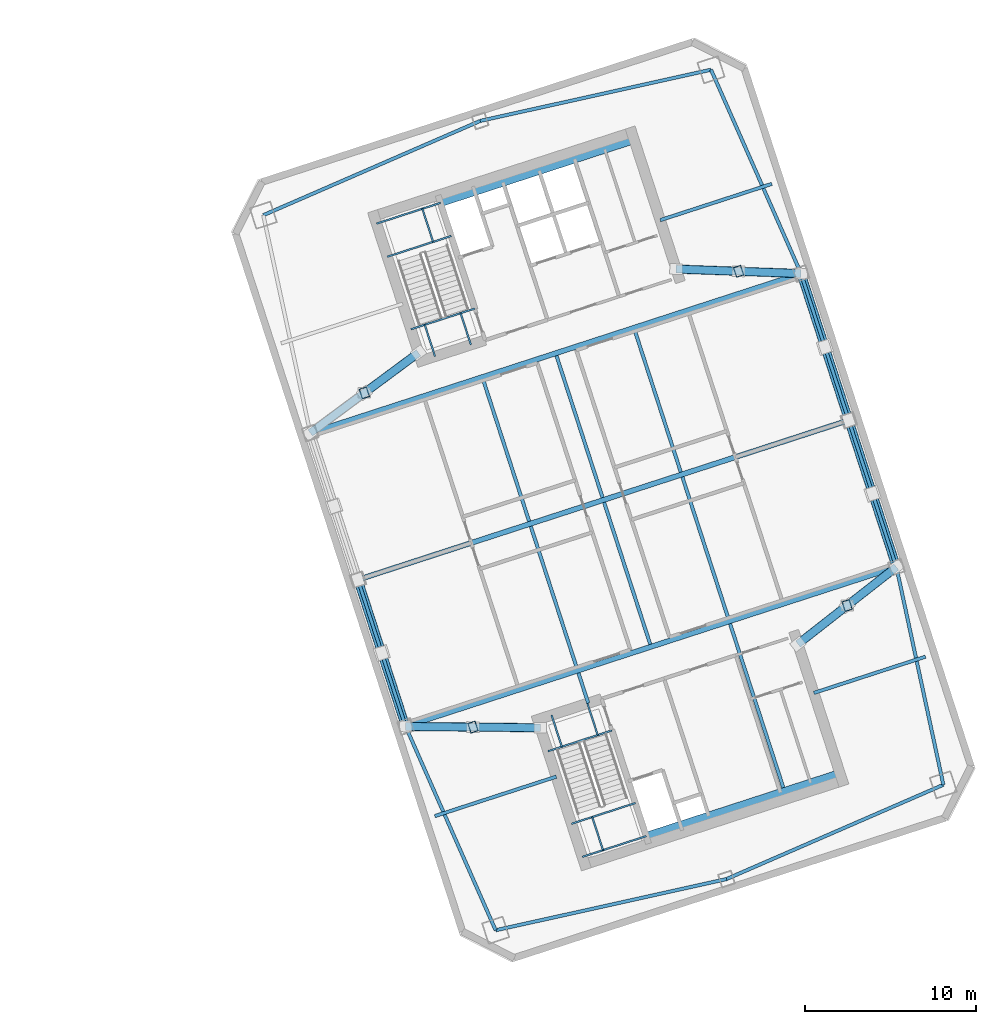
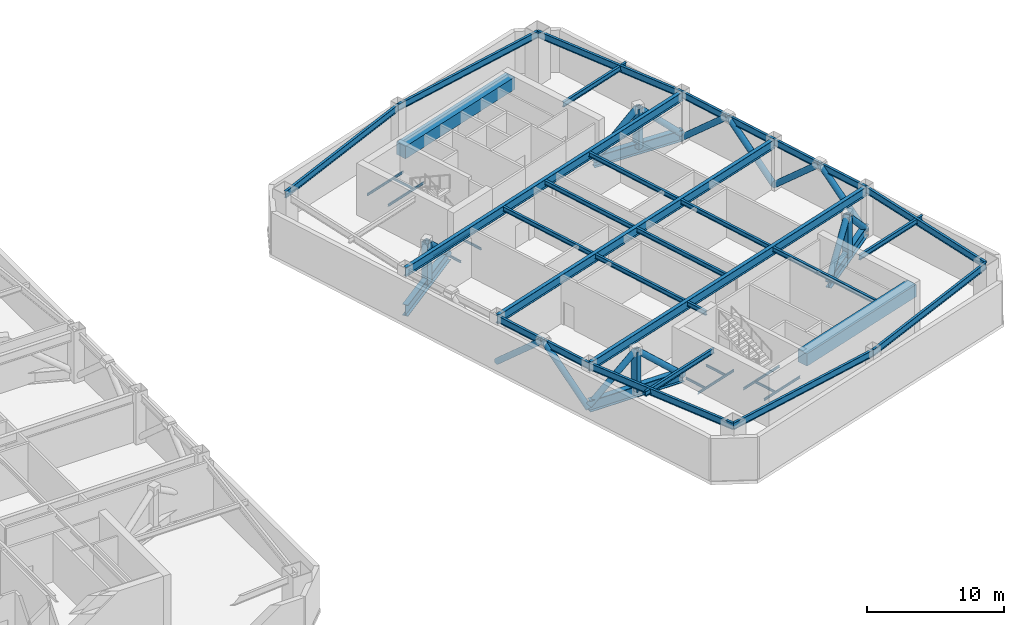
# One storey, part 5 of 14: 42 beams, 17 members.
"""IFC4 building model written with IfcOpenShell, lengths in metres."""

from ifc_helpers import new_model, si_unit, direction, frame, origin, origin_2d, place, context, subcontext, project, spatial, rectangle, hollow_rectangle, hollow_circle, i_section, extrude, material, material_profile, profile_set, type_object, element, save


model = new_model("IFC4")

# Units and contexts
model_context = context("Model", 3, precision=1e-05, world=origin(), true_north=direction((0.0, 1.0)))
body_context = subcontext(model_context, "Body", "Model", "MODEL_VIEW")
ifc_project = project(units=[si_unit("LENGTHUNIT", "METRE"), si_unit("AREAUNIT", "SQUARE_METRE"), si_unit("VOLUMEUNIT", "CUBIC_METRE"), si_unit("PLANEANGLEUNIT", "RADIAN"), si_unit("MASSUNIT", "GRAM", prefix="KILO")], contexts=[model_context])

# Site, building, storey
site_placement = place(None, origin())
site = spatial("IfcSite", under=ifc_project, at=site_placement, CompositionType="ELEMENT")
building_placement = place(site_placement, origin())
building = spatial("IfcBuilding", under=site, at=building_placement, Name="Qiaolan Cultural Towers", CompositionType="ELEMENT")
storey_placement = place(building_placement, frame((0.0, 0.0, 138.0)))
storey = spatial("IfcBuildingStorey", under=building, at=storey_placement, Name="L36", CompositionType="ELEMENT", Elevation=138.0)

# Beams
ifc_material_1 = material(Name="Steel Q390GJB", Category="steel")
ifc_material_profile_1 = material_profile(ifc_material_1, i_section(OverallWidth=0.449951171875, OverallDepth=1.0, WebThickness=0.02392578125, FlangeThickness=0.0400390625, at=origin_2d()), Name="BH1000x450x24x40")
ifc_profile_set_1 = profile_set([ifc_material_profile_1], Name="Steel Q390GJB")
beam_type_1 = type_object("IfcBeamType", Name="BM-BH1000x450x24x40", PredefinedType="BEAM", material=ifc_profile_set_1)
for number, where, z_axis, x_axis, name in (
    (1, (86.32568359375, 20.71435546875, 0.5), (-0.99995391889, 0.009600005, 0.0), (-0.009600005, -0.99995391889, 0.0), "L36 T2 Outrigger Bottom Chord Girder WS"),
    (2, (79.21826171875, 42.588623046875, 0.5), (-0.803324328545, -0.595541789607, 0.0), (0.595541789607, -0.803324328545, 0.0), "L36 T2 Outrigger Bottom Chord Girder WN"),
):
    element("IfcBeam", number, at=place(storey_placement, frame(where, z_axis=z_axis, x_axis=x_axis)), inside=storey, type_object=beam_type_1, Name=name, PredefinedType="BEAM", context=body_context, shape_type="SweptSolid", body=[
        extrude(i_section(OverallWidth=0.449951171875, OverallDepth=1.0, WebThickness=0.02392578125, FlangeThickness=0.0400390625, at=origin_2d()), origin(), (0.0, 0.0, 1.0), 7.858154296875),
    ])
for number, where, z_axis, x_axis, name in (
    (3, (101.352294921875, 25.5966796875, 0.5), (0.787455543468, 0.616371452179, 0.0), (-0.616371452179, 0.787455543468, 0.0), "L36 T2 Outrigger Bottom Chord Girder ES"),
    (4, (94.244873046875, 47.47119140625, 0.5), (0.999359309456, -0.035790649664, 0.0), (0.035790649664, 0.999359309456, 0.0), "L36 T2 Outrigger Bottom Chord Girder EN"),
):
    element("IfcBeam", number, at=place(storey_placement, frame(where, z_axis=z_axis, x_axis=x_axis)), inside=storey, type_object=beam_type_1, Name=name, PredefinedType="BEAM", context=body_context, shape_type="SweptSolid", body=[
        extrude(i_section(OverallWidth=0.449951171875, OverallDepth=1.0, WebThickness=0.02392578125, FlangeThickness=0.0400390625, at=origin_2d()), origin(), (0.0, 0.0, 1.0), 7.2919921875),
    ])
ifc_material_2 = material(Name="Steel Q355B", Category="steel")
ifc_material_profile_2 = material_profile(ifc_material_2, i_section(OverallWidth=0.300048828125, OverallDepth=0.800048828125, WebThickness=0.013916015625, FlangeThickness=0.02587890625, at=origin_2d()), Name="HN800x300x14x26")
ifc_profile_set_2 = profile_set([ifc_material_profile_2], Name="Steel Q355B")
beam_type_2 = type_object("IfcBeamType", Name="BM-HN800x300x14x26", PredefinedType="BEAM", material=ifc_profile_set_2)
beam_1_placement = place(storey_placement, frame((78.4677734375, 20.789794921875, 3.93994140625), z_axis=(0.951055226628, 0.309020963535, 0.0), x_axis=(-0.309020963535, 0.951055226628, 0.0)))
element("IfcBeam", 5, at=beam_1_placement, inside=storey, type_object=beam_type_2, Name="L36 T2 Primary Transverse Girder V1", PredefinedType="BEAM", context=body_context, shape_type="SweptSolid", body=[
    extrude(i_section(OverallWidth=0.300048828125, OverallDepth=0.800048828125, WebThickness=0.013916015625, FlangeThickness=0.02587890625, at=origin_2d()), origin(), (0.0, 0.0, 1.0), 30.099853515625),
])
beam_2_placement = place(storey_placement, frame((75.6865234375, 29.349365234375, 3.93994140625), z_axis=(0.951058384903, 0.309011243331, 0.0), x_axis=(-0.309011243331, 0.951058384903, 0.0)))
element("IfcBeam", 6, at=beam_2_placement, inside=storey, type_object=beam_type_2, Name="L36 T2 Primary Transverse Girder V2", PredefinedType="BEAM", context=body_context, shape_type="SweptSolid", body=[
    extrude(i_section(OverallWidth=0.300048828125, OverallDepth=0.800048828125, WebThickness=0.013916015625, FlangeThickness=0.02587890625, at=origin_2d()), origin(), (0.0, 0.0, 1.0), 30.10009765625),
])
beam_3_placement = place(storey_placement, frame((72.905517578125, 37.90869140625, 3.93994140625), z_axis=(0.951055226628, 0.309020963535, 0.0), x_axis=(-0.309020963535, 0.951055226628, 0.0)))
element("IfcBeam", 7, at=beam_3_placement, inside=storey, type_object=beam_type_2, Name="L36 T2 Primary Transverse Girder V3", PredefinedType="BEAM", context=body_context, shape_type="SweptSolid", body=[
    extrude(i_section(OverallWidth=0.300048828125, OverallDepth=0.800048828125, WebThickness=0.013916015625, FlangeThickness=0.02587890625, at=origin_2d()), origin(), (0.0, 0.0, 1.0), 30.099853515625),
])
ifc_material_3 = material(Name="Steel Q355B", Category="steel")
ifc_material_profile_3 = material_profile(ifc_material_3, i_section(OverallWidth=0.199951171875, OverallDepth=0.39990234375, WebThickness=0.008056640625, FlangeThickness=0.012939453125, at=origin_2d()), Name="HN400x200x8x13")
ifc_profile_set_3 = profile_set([ifc_material_profile_3], Name="Steel Q355B")
beam_type_3 = type_object("IfcBeamType", Name="BM-JST-HN400x200x8x13", PredefinedType="JOIST", material=ifc_profile_set_3)
beam_4_placement = place(storey_placement, frame((89.119384765625, 22.147705078125, 4.139892578125), z_axis=(-0.308933885266, 0.951083516067, 0.0), x_axis=(-0.951083516067, -0.308933885266, 0.0)))
element("IfcBeam", 8, at=beam_4_placement, inside=storey, type_object=beam_type_3, Name="L36 T2 Secondary Floor Joist U1-1", PredefinedType="JOIST", context=body_context, shape_type="SweptSolid", body=[
    extrude(i_section(OverallWidth=0.199951171875, OverallDepth=0.39990234375, WebThickness=0.008056640625, FlangeThickness=0.012939453125, at=origin_2d()), origin(), (0.0, 0.0, 1.0), 1.85009765625),
])
for number, where, z_axis, x_axis, name in (
    (9, (88.455078125, 24.192626953125, 4.139892578125), (-0.309020714809, 0.951055307445, 0.0), (-0.951055307445, -0.309020714809, 0.0), "L36 T2 Secondary Floor Joist U1-2"),
    (10, (85.673828125, 32.752197265625, 4.139892578125), (-0.309020714809, 0.951055307445, 0.0), (-0.951055307445, -0.309020714809, 0.0), "L36 T2 Secondary Floor Joist U1-3"),
    (11, (92.73486328125, 25.583251953125, 4.139892578125), (-0.309020714809, 0.951055307445, 0.0), (-0.951055307445, -0.309020714809, 0.0), "L36 T2 Secondary Floor Joist U2-2"),
    (12, (89.95361328125, 34.142578125, 4.139892578125), (-0.309020714809, 0.951055307445, 0.0), (-0.951055307445, -0.309020714809, 0.0), "L36 T2 Secondary Floor Joist U2-3"),
):
    element("IfcBeam", number, at=place(storey_placement, frame(where, z_axis=z_axis, x_axis=x_axis)), inside=storey, type_object=beam_type_3, Name=name, PredefinedType="JOIST", context=body_context, shape_type="SweptSolid", body=[
        extrude(i_section(OverallWidth=0.199951171875, OverallDepth=0.39990234375, WebThickness=0.008056640625, FlangeThickness=0.012939453125, at=origin_2d()), origin(), (0.0, 0.0, 1.0), 8.699951171875),
    ])
beam_5_placement = place(storey_placement, frame((100.498291015625, 17.222900390625, 4.139892578125), z_axis=(-0.309025649293, 0.951053704098, 0.0), x_axis=(-0.951053704098, -0.309025649293, 0.0)))
element("IfcBeam", 13, at=beam_5_placement, inside=storey, type_object=beam_type_3, Name="L36 T2 Secondary Floor Joist U3-1", PredefinedType="JOIST", context=body_context, shape_type="SweptSolid", body=[
    extrude(i_section(OverallWidth=0.199951171875, OverallDepth=0.39990234375, WebThickness=0.008056640625, FlangeThickness=0.012939453125, at=origin_2d()), origin(), (0.0, 0.0, 1.0), 10.050048828125),
])
for number, where, z_axis, x_axis, name in (
    (14, (97.2998046875, 27.06640625, 4.139892578125), (-0.309020714809, 0.951055307445, 0.0), (-0.951055307445, -0.309020714809, 0.0), "L36 T2 Secondary Floor Joist U3-2"),
    (15, (94.518798828125, 35.6259765625, 4.139892578125), (-0.309020714809, 0.951055307445, 0.0), (-0.951055307445, -0.309020714809, 0.0), "L36 T2 Secondary Floor Joist U3-3"),
):
    element("IfcBeam", number, at=place(storey_placement, frame(where, z_axis=z_axis, x_axis=x_axis)), inside=storey, type_object=beam_type_3, Name=name, PredefinedType="JOIST", context=body_context, shape_type="SweptSolid", body=[
        extrude(i_section(OverallWidth=0.199951171875, OverallDepth=0.39990234375, WebThickness=0.008056640625, FlangeThickness=0.012939453125, at=origin_2d()), origin(), (0.0, 0.0, 1.0), 8.699951171875),
    ])
ifc_material_4 = material(Name="Steel Q355B", Category="steel")
ifc_material_profile_4 = material_profile(ifc_material_4, i_section(OverallWidth=0.199951171875, OverallDepth=0.449951171875, WebThickness=0.009033203125, FlangeThickness=0.013916015625, at=origin_2d()), Name="HN450x200x9x14")
ifc_profile_set_4 = profile_set([ifc_material_profile_4], Name="Steel Q355B")
beam_type_4 = type_object("IfcBeamType", Name="BM-LNT-HN450x200x9x14", PredefinedType="LINTEL", material=ifc_profile_set_4)
beam_6_placement = place(storey_placement, frame((87.252685546875, 17.861083984375, 4.114990234375), z_axis=(-0.951064407856, -0.308992705592, 0.0), x_axis=(0.308992705592, -0.951064407856, 0.0)))
element("IfcBeam", 16, at=beam_6_placement, inside=storey, type_object=beam_type_4, Name="L36 T2 Core Flank Tie Lintel WS", PredefinedType="LINTEL", context=body_context, shape_type="SweptSolid", body=[
    extrude(i_section(OverallWidth=0.199951171875, OverallDepth=0.449951171875, WebThickness=0.009033203125, FlangeThickness=0.013916015625, at=origin_2d()), origin(), (0.0, 0.0, 1.0), 7.449951171875),
])
for number, where, z_axis, x_axis, name in (
    (17, (102.279296875, 22.74365234375, 4.114990234375), (0.951061565824, 0.30900145309, 0.0), (-0.30900145309, 0.951061565824, 0.0), "L36 T2 Core Flank Tie Lintel ES"),
    (18, (93.31787109375, 50.32421875, 4.114990234375), (0.951061565824, 0.30900145309, 0.0), (-0.30900145309, 0.951061565824, 0.0), "L36 T2 Core Flank Tie Lintel EN"),
):
    element("IfcBeam", number, at=place(storey_placement, frame(where, z_axis=z_axis, x_axis=x_axis)), inside=storey, type_object=beam_type_4, Name=name, PredefinedType="LINTEL", context=body_context, shape_type="SweptSolid", body=[
        extrude(i_section(OverallWidth=0.199951171875, OverallDepth=0.449951171875, WebThickness=0.009033203125, FlangeThickness=0.013916015625, at=origin_2d()), origin(), (0.0, 0.0, 1.0), 6.85009765625),
    ])
ifc_material_5 = material(Name="Concrete C50", Category="concrete")
ifc_material_profile_5 = material_profile(ifc_material_5, rectangle(XDim=0.89990234375, YDim=1.10009765625, at=origin_2d()), Name="RC900x1100")
ifc_profile_set_5 = profile_set([ifc_material_profile_5], Name="Concrete C50")
beam_type_5 = type_object("IfcBeamType", Name="BM-RC900x1100", PredefinedType="BEAM", material=ifc_profile_set_5)
for number, where, z_axis, x_axis, name in (
    (19, (92.572265625, 14.174560546875, 3.7900390625), (0.951056266386, 0.309017763514, 0.0), (-0.309017763514, 0.951056266386, 0.0), "L36 T2 Core Header Girder S"),
    (20, (80.427978515625, 51.551025390625, 3.7900390625), (0.951056266386, 0.309017763514, 0.0), (-0.309017763514, 0.951056266386, 0.0), "L36 T2 Core Header Girder N"),
):
    element("IfcBeam", number, at=place(storey_placement, frame(where, z_axis=z_axis, x_axis=x_axis)), inside=storey, type_object=beam_type_5, Name=name, PredefinedType="BEAM", context=body_context, shape_type="SweptSolid", body=[
        extrude(rectangle(XDim=0.89990234375, YDim=1.10009765625, at=origin_2d()), origin(), (0.0, 0.0, 1.0), 11.880126953125),
    ])
ifc_material_6 = material(Name="Steel Q355B", Category="steel")
ifc_material_profile_6 = material_profile(ifc_material_6, i_section(OverallWidth=0.199951171875, OverallDepth=0.60009765625, WebThickness=0.010986328125, FlangeThickness=0.01708984375, at=origin_2d()), Name="HN600x200x11x17")
ifc_profile_set_6 = profile_set([ifc_material_profile_6], Name="Steel Q355B")
beam_type_6 = type_object("IfcBeamType", Name="BM-SPD-HN600x200x11x17", PredefinedType="SPANDREL", material=ifc_profile_set_6)
beam_7_placement = place(storey_placement, frame((83.71875, 8.900634765625, 4.0400390625), z_axis=(0.976265293399, 0.216578108094, 0.0), x_axis=(-0.216578108094, 0.976265293399, 0.0)))
element("IfcBeam", 21, at=beam_7_placement, inside=storey, type_object=beam_type_6, Name="L36 T2 Perimeter Spandrel Beam 1", PredefinedType="SPANDREL", context=body_context, shape_type="SweptSolid", body=[
    extrude(i_section(OverallWidth=0.199951171875, OverallDepth=0.60009765625, WebThickness=0.010986328125, FlangeThickness=0.01708984375, at=origin_2d()), origin(), (0.0, 0.0, 1.0), 13.793212890625),
])
beam_8_placement = place(storey_placement, frame((97.1845703125, 11.887939453125, 4.0400390625), z_axis=(0.917117043091, 0.398618024268, 0.0), x_axis=(-0.398618024268, 0.917117043091, 0.0)))
element("IfcBeam", 22, at=beam_8_placement, inside=storey, type_object=beam_type_6, Name="L36 T2 Perimeter Spandrel Beam 2", PredefinedType="SPANDREL", context=body_context, shape_type="SweptSolid", body=[
    extrude(i_section(OverallWidth=0.199951171875, OverallDepth=0.60009765625, WebThickness=0.010986328125, FlangeThickness=0.01708984375, at=origin_2d()), origin(), (0.0, 0.0, 1.0), 13.79345703125),
])
beam_9_placement = place(storey_placement, frame((109.834716796875, 17.38623046875, 4.0400390625), z_axis=(-0.210832241173, 0.977522258612, 0.0), x_axis=(-0.977522258612, -0.210832241173, 0.0)))
element("IfcBeam", 23, at=beam_9_placement, inside=storey, type_object=beam_type_6, Name="L36 T2 Perimeter Spandrel Beam 3", PredefinedType="SPANDREL", context=body_context, shape_type="SweptSolid", body=[
    extrude(i_section(OverallWidth=0.199951171875, OverallDepth=0.60009765625, WebThickness=0.010986328125, FlangeThickness=0.01708984375, at=origin_2d()), origin(), (0.0, 0.0, 1.0), 12.997314453125),
])
beam_10_placement = place(storey_placement, frame((107.094482421875, 30.09130859375, 4.0400390625), z_axis=(-0.309008170129, 0.951059383421, 0.0), x_axis=(-0.951059383421, -0.309008170129, 0.0)))
element("IfcBeam", 24, at=beam_10_placement, inside=storey, type_object=beam_type_6, Name="L36 T2 Perimeter Spandrel Beam 4", PredefinedType="SPANDREL", context=body_context, shape_type="SweptSolid", body=[
    extrude(i_section(OverallWidth=0.199951171875, OverallDepth=0.60009765625, WebThickness=0.010986328125, FlangeThickness=0.01708984375, at=origin_2d()), origin(), (0.0, 0.0, 1.0), 8.999755859375),
])
beam_11_placement = place(storey_placement, frame((104.3134765625, 38.650634765625, 4.0400390625), z_axis=(-0.309024734286, 0.951054001411, 0.0), x_axis=(-0.951054001411, -0.309024734286, 0.0)))
element("IfcBeam", 25, at=beam_11_placement, inside=storey, type_object=beam_type_6, Name="L36 T2 Perimeter Spandrel Beam 5", PredefinedType="SPANDREL", context=body_context, shape_type="SweptSolid", body=[
    extrude(i_section(OverallWidth=0.199951171875, OverallDepth=0.60009765625, WebThickness=0.010986328125, FlangeThickness=0.01708984375, at=origin_2d()), origin(), (0.0, 0.0, 1.0), 9.0),
])
beam_12_placement = place(storey_placement, frame((101.5322265625, 47.210205078125, 4.0400390625), z_axis=(-0.404011070002, 0.914754095545, 0.0), x_axis=(-0.914754095545, -0.404011070002, 0.0)))
element("IfcBeam", 26, at=beam_12_placement, inside=storey, type_object=beam_type_6, Name="L36 T2 Perimeter Spandrel Beam 6", PredefinedType="SPANDREL", context=body_context, shape_type="SweptSolid", body=[
    extrude(i_section(OverallWidth=0.199951171875, OverallDepth=0.60009765625, WebThickness=0.010986328125, FlangeThickness=0.01708984375, at=origin_2d()), origin(), (0.0, 0.0, 1.0), 12.9970703125),
])
beam_13_placement = place(storey_placement, frame((96.28125, 59.099365234375, 4.0400390625), z_axis=(-0.976265293399, -0.216578108094, 0.0), x_axis=(0.216578108094, -0.976265293399, 0.0)))
element("IfcBeam", 27, at=beam_13_placement, inside=storey, type_object=beam_type_6, Name="L36 T2 Perimeter Spandrel Beam 7", PredefinedType="SPANDREL", context=body_context, shape_type="SweptSolid", body=[
    extrude(i_section(OverallWidth=0.199951171875, OverallDepth=0.60009765625, WebThickness=0.010986328125, FlangeThickness=0.01708984375, at=origin_2d()), origin(), (0.0, 0.0, 1.0), 13.793212890625),
])
beam_14_placement = place(storey_placement, frame((82.8154296875, 56.112060546875, 4.0400390625), z_axis=(-0.917117043091, -0.398618024268, 0.0), x_axis=(0.398618024268, -0.917117043091, 0.0)))
element("IfcBeam", 28, at=beam_14_placement, inside=storey, type_object=beam_type_6, Name="L36 T2 Perimeter Spandrel Beam 8", PredefinedType="SPANDREL", context=body_context, shape_type="SweptSolid", body=[
    extrude(i_section(OverallWidth=0.199951171875, OverallDepth=0.60009765625, WebThickness=0.010986328125, FlangeThickness=0.01708984375, at=origin_2d()), origin(), (0.0, 0.0, 1.0), 13.79345703125),
])
beam_15_placement = place(storey_placement, frame((75.6865234375, 29.349365234375, 4.0400390625), z_axis=(0.309024734286, -0.951054001411, 0.0), x_axis=(0.951054001411, 0.309024734286, 0.0)))
element("IfcBeam", 29, at=beam_15_placement, inside=storey, type_object=beam_type_6, Name="L36 T2 Perimeter Spandrel Beam 11", PredefinedType="SPANDREL", context=body_context, shape_type="SweptSolid", body=[
    extrude(i_section(OverallWidth=0.199951171875, OverallDepth=0.60009765625, WebThickness=0.010986328125, FlangeThickness=0.01708984375, at=origin_2d()), origin(), (0.0, 0.0, 1.0), 9.0),
])
beam_16_placement = place(storey_placement, frame((78.4677734375, 20.789794921875, 4.0400390625), z_axis=(0.404011070002, -0.914754095545, 0.0), x_axis=(0.914754095545, 0.404011070002, 0.0)))
element("IfcBeam", 30, at=beam_16_placement, inside=storey, type_object=beam_type_6, Name="L36 T2 Perimeter Spandrel Beam 12", PredefinedType="SPANDREL", context=body_context, shape_type="SweptSolid", body=[
    extrude(i_section(OverallWidth=0.199951171875, OverallDepth=0.60009765625, WebThickness=0.010986328125, FlangeThickness=0.01708984375, at=origin_2d()), origin(), (0.0, 0.0, 1.0), 12.9970703125),
])
ifc_material_7 = material(Name="Steel Q355B", Category="steel")
ifc_material_profile_7 = material_profile(ifc_material_7, i_section(OverallWidth=0.10009765625, OverallDepth=0.199951171875, WebThickness=0.005615234375, FlangeThickness=0.008056640625, at=origin_2d()), Name="HN200x100x5.5x8")
ifc_profile_set_7 = profile_set([ifc_material_profile_7], Name="Steel Q355B")
beam_type_7 = type_object("IfcBeamType", Name="BM-STTRIM-200", PredefinedType="BEAM", material=ifc_profile_set_7)
beam_17_placement = place(storey_placement, frame((86.770751953125, 19.3447265625, -0.4599609375), z_axis=(0.951047798727, 0.309043823005, 0.0), x_axis=(-0.309043823005, 0.951047798727, 0.0)))
element("IfcBeam", 31, at=beam_17_placement, inside=storey, type_object=beam_type_7, Name="L36 ST-E1 Floor Landing Header Beam", PredefinedType="BEAM", context=body_context, shape_type="SweptSolid", body=[
    extrude(i_section(OverallWidth=0.10009765625, OverallDepth=0.199951171875, WebThickness=0.005615234375, FlangeThickness=0.008056640625, at=origin_2d()), origin(), (0.0, 0.0, 1.0), 3.919921875),
])
for number, where, z_axis, x_axis, name in (
    (32, (86.9794921875, 21.452392578125, -0.4599609375), (0.309083226701, -0.951034993558, 0.0), (0.951034993558, 0.309083226701, 0.0), "L36 ST-E1 Floor Landing Stringer 1"),
    (33, (89.07177734375, 22.13232421875, -0.4599609375), (0.309083226701, -0.951034993558, 0.0), (0.951034993558, 0.309083226701, 0.0), "L36 ST-E1 Floor Landing Stringer 2"),
):
    element("IfcBeam", number, at=place(storey_placement, frame(where, z_axis=z_axis, x_axis=x_axis)), inside=storey, type_object=beam_type_7, Name=name, PredefinedType="BEAM", context=body_context, shape_type="SweptSolid", body=[
        extrude(i_section(OverallWidth=0.10009765625, OverallDepth=0.199951171875, WebThickness=0.005615234375, FlangeThickness=0.008056640625, at=origin_2d()), origin(), (0.0, 0.0, 1.0), 1.93994140625),
    ])
beam_18_placement = place(storey_placement, frame((88.145263671875, 15.11376953125, 2.0), z_axis=(0.951053746643, 0.309025518358, 0.0), x_axis=(-0.309025518358, 0.951053746643, 0.0)))
element("IfcBeam", 34, at=beam_18_placement, inside=storey, type_object=beam_type_7, Name="L36 ST-E1 Stair Landing Support Beam 1-1", PredefinedType="BEAM", context=body_context, shape_type="SweptSolid", body=[
    extrude(i_section(OverallWidth=0.10009765625, OverallDepth=0.199951171875, WebThickness=0.005615234375, FlangeThickness=0.008056640625, at=origin_2d()), origin(), (0.0, 0.0, 1.0), 3.920166015625),
])
beam_19_placement = place(storey_placement, frame((88.773193359375, 13.181884765625, 2.0), z_axis=(0.951047798727, 0.309043823005, 0.0), x_axis=(-0.309043823005, 0.951047798727, 0.0)))
element("IfcBeam", 35, at=beam_19_placement, inside=storey, type_object=beam_type_7, Name="L36 ST-E1 Stair Landing Support Beam 1-2", PredefinedType="BEAM", context=body_context, shape_type="SweptSolid", body=[
    extrude(i_section(OverallWidth=0.10009765625, OverallDepth=0.199951171875, WebThickness=0.005615234375, FlangeThickness=0.008056640625, at=origin_2d()), origin(), (0.0, 0.0, 1.0), 3.919921875),
])
beam_20_placement = place(storey_placement, frame((89.353271484375, 15.50634765625, 2.0), z_axis=(0.309007258476, -0.951059679626, 0.0), x_axis=(0.951059679626, 0.309007258476, 0.0)))
element("IfcBeam", 36, at=beam_20_placement, inside=storey, type_object=beam_type_7, Name="L36 ST-E1 Stair Landing Trimmer 1", PredefinedType="BEAM", context=body_context, shape_type="SweptSolid", body=[
    extrude(i_section(OverallWidth=0.10009765625, OverallDepth=0.199951171875, WebThickness=0.005615234375, FlangeThickness=0.008056640625, at=origin_2d()), origin(), (0.0, 0.0, 1.0), 2.03125),
])
beam_21_placement = place(storey_placement, frame((78.773193359375, 43.958251953125, -0.4599609375), z_axis=(0.951072048947, 0.3089691857, 0.0), x_axis=(-0.3089691857, 0.951072048947, 0.0)))
element("IfcBeam", 37, at=beam_21_placement, inside=storey, type_object=beam_type_7, Name="L36 ST-E2 Floor Landing Header Beam", PredefinedType="BEAM", context=body_context, shape_type="SweptSolid", body=[
    extrude(i_section(OverallWidth=0.10009765625, OverallDepth=0.199951171875, WebThickness=0.005615234375, FlangeThickness=0.008056640625, at=origin_2d()), origin(), (0.0, 0.0, 1.0), 3.920166015625),
])
for number, where, z_axis, x_axis, name in (
    (38, (80.18115234375, 42.375732421875, -0.4599609375), (-0.308969394428, 0.951071981138, 0.0), (-0.951071981138, -0.308969394428, 0.0), "L36 ST-E2 Floor Landing Stringer 1"),
    (39, (82.2734375, 43.0556640625, -0.4599609375), (-0.308969394428, 0.951071981138, 0.0), (-0.951071981138, -0.308969394428, 0.0), "L36 ST-E2 Floor Landing Stringer 2"),
):
    element("IfcBeam", number, at=place(storey_placement, frame(where, z_axis=z_axis, x_axis=x_axis)), inside=storey, type_object=beam_type_7, Name=name, PredefinedType="BEAM", context=body_context, shape_type="SweptSolid", body=[
        extrude(i_section(OverallWidth=0.10009765625, OverallDepth=0.199951171875, WebThickness=0.005615234375, FlangeThickness=0.008056640625, at=origin_2d()), origin(), (0.0, 0.0, 1.0), 1.93994140625),
    ])
beam_22_placement = place(storey_placement, frame((77.398681640625, 48.189208984375, 2.0), z_axis=(0.951066103084, 0.308987487715, 0.0), x_axis=(-0.308987487715, 0.951066103084, 0.0)))
element("IfcBeam", 40, at=beam_22_placement, inside=storey, type_object=beam_type_7, Name="L36 ST-E2 Stair Landing Support Beam 1-1", PredefinedType="BEAM", context=body_context, shape_type="SweptSolid", body=[
    extrude(i_section(OverallWidth=0.10009765625, OverallDepth=0.199951171875, WebThickness=0.005615234375, FlangeThickness=0.008056640625, at=origin_2d()), origin(), (0.0, 0.0, 1.0), 3.919921875),
])
beam_23_placement = place(storey_placement, frame((76.770751953125, 50.12109375, 2.0), z_axis=(0.951072048947, 0.3089691857, 0.0), x_axis=(-0.3089691857, 0.951072048947, 0.0)))
element("IfcBeam", 41, at=beam_23_placement, inside=storey, type_object=beam_type_7, Name="L36 ST-E2 Stair Landing Support Beam 1-2", PredefinedType="BEAM", context=body_context, shape_type="SweptSolid", body=[
    extrude(i_section(OverallWidth=0.10009765625, OverallDepth=0.199951171875, WebThickness=0.005615234375, FlangeThickness=0.008056640625, at=origin_2d()), origin(), (0.0, 0.0, 1.0), 3.920166015625),
])
beam_24_placement = place(storey_placement, frame((80.071044921875, 49.057373046875, 2.0), z_axis=(-0.309007258476, 0.951059679626, 0.0), x_axis=(-0.951059679626, -0.309007258476, 0.0)))
element("IfcBeam", 42, at=beam_24_placement, inside=storey, type_object=beam_type_7, Name="L36 ST-E2 Stair Landing Trimmer 1", PredefinedType="BEAM", context=body_context, shape_type="SweptSolid", body=[
    extrude(i_section(OverallWidth=0.10009765625, OverallDepth=0.199951171875, WebThickness=0.005615234375, FlangeThickness=0.008056640625, at=origin_2d()), origin(), (0.0, 0.0, 1.0), 2.03125),
])

# Members
ifc_material_8 = material(Name="Steel Q355B", Category="steel")
ifc_material_profile_8 = material_profile(ifc_material_8, hollow_circle(Radius=0.25, WallThickness=0.02490234375, at=origin_2d()), Name="CHS500x25")
ifc_profile_set_8 = profile_set([ifc_material_profile_8], Name="Steel Q355B")
member_type_1 = type_object("IfcMemberType", Name="MBR-BRC-CHS500x25", PredefinedType="BRACE", material=ifc_profile_set_8)
for number, where, z_axis, x_axis, name in (
    (43, (86.32568359375, 20.71435546875, 0.5), (-0.739143800965, 0.007073146421, 0.673510513723), (-0.009568939872, -0.999954216647, 0.0), "L36 T2 Outrigger Truss Diagonal WS-1"),
    (44, (82.396728515625, 20.751953125, 4.080078125), (-0.739143560062, 0.007119073623, -0.673510294212), (-0.0096310701, -0.999953620169, 0.0), "L36 T2 Outrigger Truss Diagonal WS-2"),
):
    element("IfcMember", number, at=place(storey_placement, frame(where, z_axis=z_axis, x_axis=x_axis)), inside=storey, type_object=member_type_1, Name=name, PredefinedType="BRACE", context=body_context, shape_type="SweptSolid", body=[
        extrude(hollow_circle(Radius=0.25, WallThickness=0.02490234375, at=origin_2d()), origin(), (0.0, 0.0, 1.0), 5.3154296875),
    ])
member_1_placement = place(storey_placement, frame((79.21826171875, 42.588623046875, 0.5), z_axis=(-0.593820455194, -0.440186808151, 0.673507862555), x_axis=(0.595506876858, -0.803350209818, 0.0)))
element("IfcMember", 45, at=member_1_placement, inside=storey, type_object=member_type_1, Name="L36 T2 Outrigger Truss Diagonal WN-1", PredefinedType="BRACE", context=body_context, shape_type="SweptSolid", body=[
    extrude(hollow_circle(Radius=0.25, WallThickness=0.02490234375, at=origin_2d()), origin(), (0.0, 0.0, 1.0), 5.315673828125),
])
for number, where, z_axis, x_axis, name in (
    (46, (101.352294921875, 25.5966796875, 0.5), (0.561874435387, 0.439800525318, 0.700623020452), (-0.616371452179, 0.787455543468, 0.0), "L36 T2 Outrigger Truss Diagonal ES-1"),
    (47, (104.223388671875, 27.843994140625, 4.080078125), (0.561874435387, 0.439800525318, -0.700623020452), (-0.616371452179, 0.787455543468, 0.0), "L36 T2 Outrigger Truss Diagonal ES-2"),
    (48, (94.244873046875, 47.47119140625, 0.5), (0.713083242942, -0.025561107871, 0.700613244522), (0.035822888615, 0.999358154343, 0.0), "L36 T2 Outrigger Truss Diagonal EN-1"),
):
    element("IfcMember", number, at=place(storey_placement, frame(where, z_axis=z_axis, x_axis=x_axis)), inside=storey, type_object=member_type_1, Name=name, PredefinedType="BRACE", context=body_context, shape_type="SweptSolid", body=[
        extrude(hollow_circle(Radius=0.25, WallThickness=0.02490234375, at=origin_2d()), origin(), (0.0, 0.0, 1.0), 5.10986328125),
    ])
member_2_placement = place(storey_placement, frame((97.888671875, 47.340576171875, 4.080078125), z_axis=(0.713060628453, -0.025514230474, -0.700637969421), x_axis=(0.035758408441, 0.99936046361, 0.0)))
element("IfcMember", 49, at=member_2_placement, inside=storey, type_object=member_type_1, Name="L36 T2 Outrigger Truss Diagonal EN-2", PredefinedType="BRACE", context=body_context, shape_type="SweptSolid", body=[
    extrude(hollow_circle(Radius=0.25, WallThickness=0.02490234375, at=origin_2d()), origin(), (0.0, 0.0, 1.0), 5.109619140625),
])
for number, where, z_axis, x_axis, name in (
    (50, (78.4677734375, 20.789794921875, 0.199951171875), (-0.231479598497, 0.712401222199, 0.662496561568), (-0.951054001411, -0.309024734286, 0.0), "L36 T2 Perimeter Belt Truss W1-A"),
    (51, (77.0771484375, 25.069580078125, 4.179931640625), (-0.231479598497, 0.712401222199, -0.662496561568), (-0.951054001411, -0.309024734286, 0.0), "L36 T2 Perimeter Belt Truss W1-B"),
):
    element("IfcMember", number, at=place(storey_placement, frame(where, z_axis=z_axis, x_axis=x_axis)), inside=storey, type_object=member_type_1, Name=name, PredefinedType="BRACE", context=body_context, shape_type="SweptSolid", body=[
        extrude(hollow_circle(Radius=0.25, WallThickness=0.02490234375, at=origin_2d()), origin(), (0.0, 0.0, 1.0), 6.007568359375),
    ])
member_3_placement = place(storey_placement, frame((107.094482421875, 30.09130859375, 0.199951171875), z_axis=(-0.231486300221, 0.712381207265, 0.662515741961), x_axis=(-0.951048820056, -0.309040679961, 0.0)))
element("IfcMember", 52, at=member_3_placement, inside=storey, type_object=member_type_1, Name="L36 T2 Perimeter Belt Truss E1-A", PredefinedType="BRACE", context=body_context, shape_type="SweptSolid", body=[
    extrude(hollow_circle(Radius=0.25, WallThickness=0.02490234375, at=origin_2d()), origin(), (0.0, 0.0, 1.0), 6.00732421875),
])
for number, where, z_axis, x_axis, name in (
    (53, (105.703857421875, 34.370849609375, 4.179931640625), (-0.23144113653, 0.71240792333, -0.662502793276), (-0.951069945308, -0.308975661068, 0.0), "L36 T2 Perimeter Belt Truss E1-B"),
    (54, (104.3134765625, 38.650634765625, 0.199951171875), (-0.231479598497, 0.712401222199, 0.662496561568), (-0.951054001411, -0.309024734286, 0.0), "L36 T2 Perimeter Belt Truss E2-A"),
    (55, (102.9228515625, 42.930419921875, 4.179931640625), (-0.231479598497, 0.712401222199, -0.662496561568), (-0.951054001411, -0.309024734286, 0.0), "L36 T2 Perimeter Belt Truss E2-B"),
):
    element("IfcMember", number, at=place(storey_placement, frame(where, z_axis=z_axis, x_axis=x_axis)), inside=storey, type_object=member_type_1, Name=name, PredefinedType="BRACE", context=body_context, shape_type="SweptSolid", body=[
        extrude(hollow_circle(Radius=0.25, WallThickness=0.02490234375, at=origin_2d()), origin(), (0.0, 0.0, 1.0), 6.007568359375),
    ])
ifc_material_9 = material(Name="Steel Q355B", Category="steel")
ifc_material_profile_9 = material_profile(ifc_material_9, hollow_rectangle(XDim=0.449951171875, YDim=0.60009765625, WallThickness=0.02197265625, at=origin_2d()), Name="BOX600x450x22")
ifc_profile_set_9 = profile_set([ifc_material_profile_9], Name="Steel Q355B")
member_type_2 = type_object("IfcMemberType", Name="MBR-POST-BOX600x450x22", PredefinedType="STUD", material=ifc_profile_set_9)
for number, where, z_axis, x_axis, name in (
    (56, (82.396728515625, 20.751953125, 0.5), (0.0, 0.0, 1.0), (0.951056516295, 0.309016994375, 0.0), "L36 T2 Outrigger King Web WS"),
    (57, (76.061767578125, 40.248779296875, 0.5), (0.0, 0.0, 1.0), (0.951056516295, 0.309016994375, 0.0), "L36 T2 Outrigger King Web WN"),
    (58, (104.223388671875, 27.843994140625, 0.5), (0.0, 0.0, 1.0), (0.951056516295, 0.309016994375, 0.0), "L36 T2 Outrigger King Web ES"),
    (59, (97.888671875, 47.340576171875, 0.5), (0.0, 0.0, 1.0), (0.951056516295, 0.309016994375, 0.0), "L36 T2 Outrigger King Web EN"),
):
    element("IfcMember", number, at=place(storey_placement, frame(where, z_axis=z_axis, x_axis=x_axis)), inside=storey, type_object=member_type_2, Name=name, PredefinedType="STUD", context=body_context, shape_type="SweptSolid", body=[
        extrude(hollow_rectangle(XDim=0.449951171875, YDim=0.60009765625, WallThickness=0.02197265625, at=origin_2d()), origin(), (0.0, 0.0, 1.0), 3.580078125),
    ])

save(model, "model.ifc")
